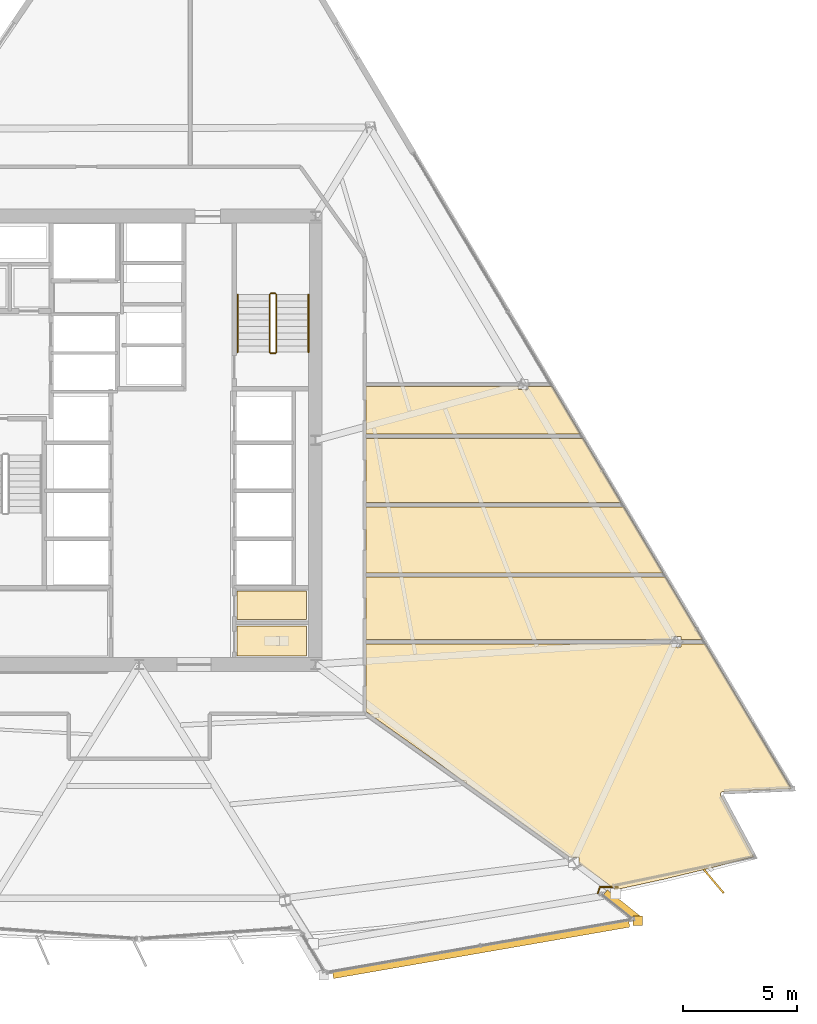
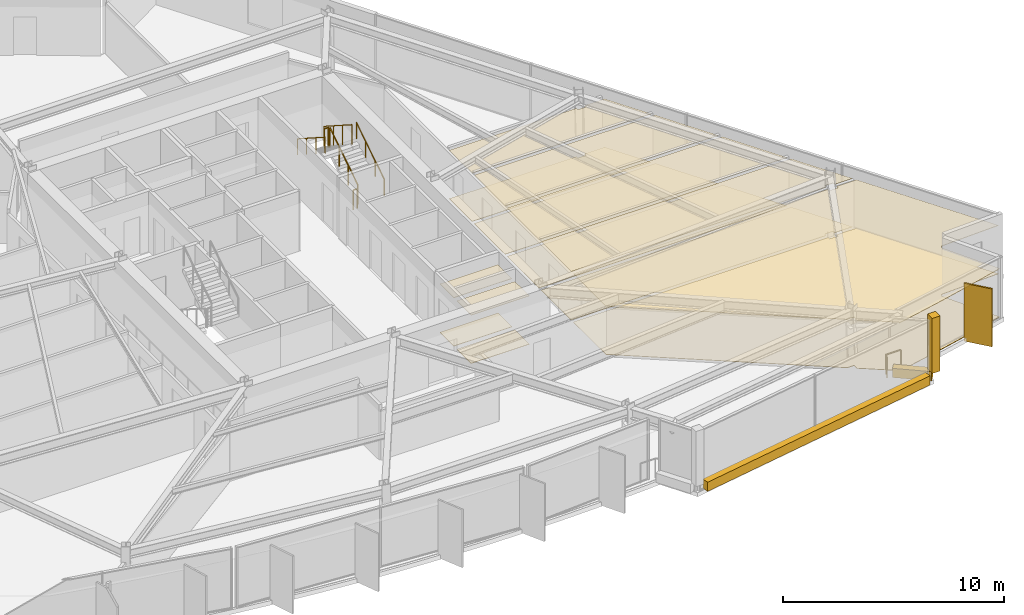
# One storey, part 13 of 15: 17 coverings, 7 railings, 1 shading device.
"""IFC4 building model written with IfcOpenShell, lengths in metres."""

from ifc_helpers import new_model, si_unit, direction, frame, origin, origin_2d, place, context, subcontext, project, spatial, polyline, rectangle, circle, outline, extrude, material, layer, layer_set, type_object, element, save


model = new_model("IFC4")

# Units and contexts
model_context = context("Model", 3, precision=1e-05, world=origin(), true_north=direction((0.0, 1.0)))
body_context = subcontext(model_context, "Body", "Model", "MODEL_VIEW")
ifc_project = project(units=[si_unit("LENGTHUNIT", "METRE"), si_unit("AREAUNIT", "SQUARE_METRE"), si_unit("VOLUMEUNIT", "CUBIC_METRE"), si_unit("PLANEANGLEUNIT", "RADIAN"), si_unit("MASSUNIT", "GRAM", prefix="KILO")], contexts=[model_context])

# Site, building, storey
site_placement = place(None, origin())
site = spatial("IfcSite", under=ifc_project, at=site_placement, CompositionType="ELEMENT")
building_placement = place(site_placement, origin())
building = spatial("IfcBuilding", under=site, at=building_placement, Name="Savorim Split Tower", CompositionType="ELEMENT")
storey_placement = place(building_placement, frame((0.0, 0.0, 93.300048828125)))
storey = spatial("IfcBuildingStorey", under=building, at=storey_placement, Name="L24", CompositionType="ELEMENT", Elevation=93.300048828125)

# Coverings
ifc_material_1 = material(Name="Mineral Fibre Acoustic Ceiling")
ifc_layer_1 = layer(ifc_material_1, 0.02490234375)
ifc_layer_set_1 = layer_set([ifc_layer_1], Name="COV-CEIL-25")
covering_type_1 = type_object("IfcCoveringType", Name="COV-CEIL-25", PredefinedType="CEILING", material=ifc_layer_set_1)
covering_1_placement = place(storey_placement, frame((0.0, 0.0, 2.669921875)))
element("IfcCovering", 1, at=covering_1_placement, inside=storey, type_object=covering_type_1, Name="L24 Accessible WC Acoustic Ceiling", PredefinedType="CEILING", context=body_context, shape_type="SweptSolid", body=[
    extrude(outline(polyline([(4.280029296875, -7.719970703125), (4.280029296875, -9.02001953125), (7.320068359375, -9.02001953125), (7.320068359375, -7.719970703125), (4.280029296875, -7.719970703125)])), origin(), (0.0, 0.0, 1.0), 0.025146484375),
])
covering_2_placement = place(storey_placement, frame((0.0, 0.0, 2.669921875)))
element("IfcCovering", 2, at=covering_2_placement, inside=storey, type_object=covering_type_1, Name="L24 Cleaning Store Acoustic Ceiling", PredefinedType="CEILING", context=body_context, shape_type="SweptSolid", body=[
    extrude(outline(polyline([(4.280029296875, -6.179931640625), (4.280029296875, -7.43994140625), (7.320068359375, -7.43994140625), (7.320068359375, -6.179931640625), (4.280029296875, -6.179931640625)])), origin(), (0.0, 0.0, 1.0), 0.025146484375),
])
covering_3_placement = place(storey_placement, frame((0.0, 0.0, 2.669921875)))
element("IfcCovering", 3, at=covering_3_placement, inside=storey, type_object=covering_type_1, Name="L24 Co-Working Commons Acoustic Ceiling", PredefinedType="CEILING", context=body_context, shape_type="SweptSolid", body=[
    extrude(outline(polyline([(25.5009765625, -14.956298828125), (25.51220703125, -14.9541015625), (25.523681640625, -14.952880859375), (28.506591796875, -14.826171875), (24.7255859375, -8.46728515625), (24.7255859375, -8.500244140625), (23.689208984375, -8.500244140625), (23.689208984375, -8.627685546875), (23.26025390625, -8.627685546875), (23.26025390625, -8.500244140625), (9.919921875, -8.500244140625), (9.919921875, -11.4580078125), (18.862060546875, -17.836669921875), (19.224853515625, -17.836669921875), (19.224853515625, -18.095458984375), (20.707275390625, -19.15283203125), (20.784423828125, -19.2080078125), (20.745361328125, -19.2626953125), (20.873779296875, -19.237548828125), (22.927490234375, -18.789306640625), (24.9716796875, -18.29931640625), (26.85888671875, -17.8056640625), (25.423095703125, -15.129638671875), (25.418212890625, -15.119140625), (25.414306640625, -15.1083984375), (25.411376953125, -15.09716796875), (25.409423828125, -15.085693359375), (25.40869140625, -15.07421875), (25.4091796875, -15.062744140625), (25.410888671875, -15.05126953125), (25.413330078125, -15.0400390625), (25.4169921875, -15.029052734375), (25.421875, -15.0185546875), (25.427490234375, -15.008544921875), (25.43408203125, -14.9990234375), (25.441650390625, -14.990478515625), (25.449951171875, -14.982421875), (25.458984375, -14.97509765625), (25.46875, -14.968994140625), (25.47900390625, -14.963623046875), (25.48974609375, -14.95947265625), (25.5009765625, -14.956298828125)])), origin(), (0.0, 0.0, 1.0), 0.025146484375),
])
covering_4_placement = place(storey_placement, frame((0.0, 0.0, 2.669921875)))
element("IfcCovering", 4, at=covering_4_placement, inside=storey, type_object=covering_type_1, Name="L24 Co-Working Commons Acoustic Ceiling", PredefinedType="CEILING", context=body_context, shape_type="SweptSolid", body=[
    extrude(outline(polyline([(23.689208984375, -8.182861328125), (23.689208984375, -8.310302734375), (24.630615234375, -8.310302734375), (24.632080078125, -8.310302734375), (23.010009765625, -5.58203125), (9.919921875, -5.58203125), (9.919921875, -8.310302734375), (23.26025390625, -8.310302734375), (23.26025390625, -8.182861328125), (23.689208984375, -8.182861328125)])), origin(), (0.0, 0.0, 1.0), 0.025146484375),
])
covering_5_placement = place(storey_placement, frame((0.0, 0.0, 2.669921875)))
element("IfcCovering", 5, at=covering_5_placement, inside=storey, type_object=covering_type_1, Name="L24 Co-Living Bedroom Acoustic Ceiling", PredefinedType="CEILING", context=body_context, shape_type="SweptSolid", body=[
    extrude(outline(polyline([(22.89697265625, -5.39208984375), (21.18505859375, -2.51318359375), (9.919921875, -2.51318359375), (9.919921875, -5.39208984375), (22.89697265625, -5.39208984375)])), origin(), (0.0, 0.0, 1.0), 0.025146484375),
])
covering_6_placement = place(storey_placement, frame((0.0, 0.0, 2.669921875)))
element("IfcCovering", 6, at=covering_6_placement, inside=storey, type_object=covering_type_1, Name="L24 Co-Working Commons Acoustic Ceiling", PredefinedType="CEILING", context=body_context, shape_type="SweptSolid", body=[
    extrude(outline(polyline([(21.072021484375, -2.322998046875), (19.40478515625, 0.48046875), (9.919921875, 0.48046875), (9.919921875, -2.322998046875), (21.072021484375, -2.322998046875)])), origin(), (0.0, 0.0, 1.0), 0.025146484375),
])
covering_7_placement = place(storey_placement, frame((0.0, 0.0, 2.669921875)))
element("IfcCovering", 7, at=covering_7_placement, inside=storey, type_object=covering_type_1, Name="L24 Co-Working Commons Acoustic Ceiling", PredefinedType="CEILING", context=body_context, shape_type="SweptSolid", body=[
    extrude(outline(polyline([(16.57470703125, 2.615234375), (16.57470703125, 2.742919921875), (9.919921875, 2.742919921875), (9.919921875, 0.67041015625), (19.2919921875, 0.67041015625), (18.0400390625, 2.77587890625), (18.0400390625, 2.742919921875), (17.003662109375, 2.742919921875), (17.003662109375, 2.615234375), (16.57470703125, 2.615234375)])), origin(), (0.0, 0.0, 1.0), 0.025146484375),
])
ifc_material_2 = material(Name="Porcelain Stoneware Flooring", Category="masonry")
ifc_layer_2 = layer(ifc_material_2, 0.02001953125)
ifc_layer_set_2 = layer_set([ifc_layer_2], Name="COV-FLOR-20")
covering_type_2 = type_object("IfcCoveringType", Name="COV-FLOR-20", PredefinedType="FLOORING", material=ifc_layer_set_2)
covering_8_placement = place(storey_placement, origin())
element("IfcCovering", 8, at=covering_8_placement, inside=storey, type_object=covering_type_2, Name="L24 Accessible WC Porcelain Flooring", PredefinedType="FLOORING", context=body_context, shape_type="SweptSolid", body=[
    extrude(outline(polyline([(4.280029296875, -7.719970703125), (4.280029296875, -9.02001953125), (7.320068359375, -9.02001953125), (7.320068359375, -7.719970703125), (4.280029296875, -7.719970703125)])), origin(), (0.0, 0.0, 1.0), 0.02001953125),
])
covering_9_placement = place(storey_placement, origin())
element("IfcCovering", 9, at=covering_9_placement, inside=storey, type_object=covering_type_2, Name="L24 Cleaning Store Porcelain Flooring", PredefinedType="FLOORING", context=body_context, shape_type="SweptSolid", body=[
    extrude(outline(polyline([(4.280029296875, -6.179931640625), (4.280029296875, -7.43994140625), (7.320068359375, -7.43994140625), (7.320068359375, -6.179931640625), (4.280029296875, -6.179931640625)])), origin(), (0.0, 0.0, 1.0), 0.02001953125),
])
covering_10_placement = place(storey_placement, origin())
element("IfcCovering", 10, at=covering_10_placement, inside=storey, type_object=covering_type_2, Name="L24 Co-Working Commons Porcelain Flooring", PredefinedType="FLOORING", context=body_context, shape_type="SweptSolid", body=[
    extrude(outline(polyline([(25.5009765625, -14.956298828125), (25.51220703125, -14.9541015625), (25.523681640625, -14.952880859375), (28.506591796875, -14.826171875), (24.7255859375, -8.46728515625), (24.7255859375, -8.500244140625), (23.689208984375, -8.500244140625), (23.689208984375, -8.627685546875), (23.26025390625, -8.627685546875), (23.26025390625, -8.500244140625), (9.919921875, -8.500244140625), (9.919921875, -11.4580078125), (18.862060546875, -17.836669921875), (19.224853515625, -17.836669921875), (19.224853515625, -18.095458984375), (20.707275390625, -19.15283203125), (20.784423828125, -19.2080078125), (20.745361328125, -19.2626953125), (20.873779296875, -19.237548828125), (22.927490234375, -18.789306640625), (24.9716796875, -18.29931640625), (26.85888671875, -17.8056640625), (25.423095703125, -15.129638671875), (25.418212890625, -15.119140625), (25.414306640625, -15.1083984375), (25.411376953125, -15.09716796875), (25.409423828125, -15.085693359375), (25.40869140625, -15.07421875), (25.4091796875, -15.062744140625), (25.410888671875, -15.05126953125), (25.413330078125, -15.0400390625), (25.4169921875, -15.029052734375), (25.421875, -15.0185546875), (25.427490234375, -15.008544921875), (25.43408203125, -14.9990234375), (25.441650390625, -14.990478515625), (25.449951171875, -14.982421875), (25.458984375, -14.97509765625), (25.46875, -14.968994140625), (25.47900390625, -14.963623046875), (25.48974609375, -14.95947265625), (25.5009765625, -14.956298828125)])), origin(), (0.0, 0.0, 1.0), 0.02001953125),
])
covering_11_placement = place(storey_placement, origin())
element("IfcCovering", 11, at=covering_11_placement, inside=storey, type_object=covering_type_2, Name="L24 Co-Working Commons Porcelain Flooring", PredefinedType="FLOORING", context=body_context, shape_type="SweptSolid", body=[
    extrude(outline(polyline([(23.689208984375, -8.182861328125), (23.689208984375, -8.310302734375), (24.630615234375, -8.310302734375), (24.632080078125, -8.310302734375), (23.010009765625, -5.58203125), (9.919921875, -5.58203125), (9.919921875, -8.310302734375), (23.26025390625, -8.310302734375), (23.26025390625, -8.182861328125), (23.689208984375, -8.182861328125)])), origin(), (0.0, 0.0, 1.0), 0.02001953125),
])
covering_12_placement = place(storey_placement, origin())
element("IfcCovering", 12, at=covering_12_placement, inside=storey, type_object=covering_type_2, Name="L24 Co-Living Bedroom Porcelain Flooring", PredefinedType="FLOORING", context=body_context, shape_type="SweptSolid", body=[
    extrude(outline(polyline([(22.89697265625, -5.39208984375), (21.18505859375, -2.51318359375), (9.919921875, -2.51318359375), (9.919921875, -5.39208984375), (22.89697265625, -5.39208984375)])), origin(), (0.0, 0.0, 1.0), 0.02001953125),
])
covering_13_placement = place(storey_placement, origin())
element("IfcCovering", 13, at=covering_13_placement, inside=storey, type_object=covering_type_2, Name="L24 Co-Working Commons Porcelain Flooring", PredefinedType="FLOORING", context=body_context, shape_type="SweptSolid", body=[
    extrude(outline(polyline([(21.072021484375, -2.322998046875), (19.40478515625, 0.48046875), (9.919921875, 0.48046875), (9.919921875, -2.322998046875), (21.072021484375, -2.322998046875)])), origin(), (0.0, 0.0, 1.0), 0.02001953125),
])
covering_14_placement = place(storey_placement, origin())
element("IfcCovering", 14, at=covering_14_placement, inside=storey, type_object=covering_type_2, Name="L24 Co-Working Commons Porcelain Flooring", PredefinedType="FLOORING", context=body_context, shape_type="SweptSolid", body=[
    extrude(outline(polyline([(16.57470703125, 2.615234375), (16.57470703125, 2.742919921875), (9.919921875, 2.742919921875), (9.919921875, 0.67041015625), (19.2919921875, 0.67041015625), (18.0400390625, 2.77587890625), (18.0400390625, 2.742919921875), (17.003662109375, 2.742919921875), (17.003662109375, 2.615234375), (16.57470703125, 2.615234375)])), origin(), (0.0, 0.0, 1.0), 0.02001953125),
])
ifc_material_3 = material(Name="White Porcelain Architectural Cladding")
ifc_layer_3 = layer(ifc_material_3, 0.139892578125)
ifc_layer_set_3 = layer_set([ifc_layer_3], Name="COV-FRM-WHITE")
covering_type_3 = type_object("IfcCoveringType", Name="COV-FRM-WHITE", PredefinedType="CLADDING", material=ifc_layer_set_3)
covering_15_placement = place(storey_placement, frame((0.0, 0.0, 0.010009765625)))
element("IfcCovering", 15, at=covering_15_placement, inside=storey, type_object=covering_type_3, Name="L24 Cantilevered Lounge White Lower Frame Band F", PredefinedType="CLADDING", context=body_context, shape_type="SweptSolid", body=[
    extrude(outline(polyline([(8.500732421875, -23.130859375), (21.44482421875, -20.8818359375), (21.38671875, -20.546875), (8.4423828125, -22.7958984375), (8.500732421875, -23.130859375)])), origin(), (0.0, 0.0, 1.0), 0.510009765625),
])
covering_16_placement = place(storey_placement, frame((0.0, 0.0, 0.010009765625)))
element("IfcCovering", 16, at=covering_16_placement, inside=storey, type_object=covering_type_3, Name="L24 Cantilevered Lounge White Lower Frame Band E", PredefinedType="CLADDING", context=body_context, shape_type="SweptSolid", body=[
    extrude(outline(polyline([(21.875244140625, -20.37451171875), (20.4658203125, -19.255126953125), (20.25439453125, -19.521484375), (21.663818359375, -20.640869140625), (21.875244140625, -20.37451171875)])), origin(), (0.0, 0.0, 1.0), 0.510009765625),
])
covering_17_placement = place(storey_placement, frame((0.0, 0.0, 0.5400390625)))
element("IfcCovering", 17, at=covering_17_placement, inside=storey, type_object=covering_type_3, Name="L24 Cantilevered Lounge White Frame Corner Post 2", PredefinedType="CLADDING", context=body_context, shape_type="SweptSolid", body=[
    extrude(outline(polyline([(21.59130859375, -20.806396484375), (22.01123046875, -20.806396484375), (22.01123046875, -20.386474609375), (21.59130859375, -20.386474609375), (21.59130859375, -20.806396484375)])), origin(), (0.0, 0.0, 1.0), 3.0498046875),
])

# Railings
ifc_material_4 = material(Name="Galvanised Painted Steel Balustrade", Category="steel")
railing_type_1 = type_object("IfcRailingType", Name="RLG-BAL-1100", PredefinedType="BALUSTRADE", material=ifc_material_4)
railing_1_placement = place(storey_placement, frame((20.04150390625, -19.40625, 0.0)))
element("IfcRailing", 18, at=railing_1_placement, inside=storey, type_object=railing_type_1, Name="L24 Cantilevered Lounge East Edge Closure Guard", PredefinedType="BALUSTRADE", context=body_context, shape_type="SweptSolid", body=[
    extrude(circle(Radius=0.02392578125, at=origin_2d()), frame((0.0, 0.0, 1.076171875), z_axis=(0.336493515152, 0.941685783189, 0.0), x_axis=(-0.941685783189, 0.336493515152, 0.0)), (0.0, 0.0, 1.0), 0.29541015625),
    extrude(circle(Radius=0.02392578125, at=origin_2d()), frame((0.099365234375, 0.278076171875, 1.076171875), z_axis=(1.0, 0.0, 0.0), x_axis=(0.0, 1.0, 0.0)), (0.0, 0.0, 1.0), 0.780029296875),
    extrude(circle(Radius=0.02099609375, at=origin_2d()), origin(), (0.0, 0.0, 1.0), 1.052001953125),
    extrude(circle(Radius=0.02099609375, at=origin_2d()), frame((0.099365234375, 0.278076171875, 0.0)), (0.0, 0.0, 1.0), 1.052001953125),
    extrude(circle(Radius=0.02099609375, at=origin_2d()), frame((0.87939453125, 0.278076171875, 0.0)), (0.0, 0.0, 1.0), 1.052001953125),
])
railing_type_2 = type_object("IfcRailingType", Name="RLG-HR-900", PredefinedType="HANDRAIL", material=ifc_material_4)
railing_2_placement = place(storey_placement, frame((7.39990234375, 4.25, 0.179931640625)))
element("IfcRailing", 19, at=railing_2_placement, inside=storey, type_object=railing_type_2, Name="L24 ST-2 stair handrail 1", PredefinedType="HANDRAIL", context=body_context, shape_type="SweptSolid", body=[
    extrude(circle(Radius=0.02392578125, at=origin_2d()), frame((0.0, 0.0, 0.8759765625), z_axis=(0.0, 0.841162588446, 0.540782303519), x_axis=(-1.0, 0.0, 0.0)), (0.0, 0.0, 1.0), 2.995849609375),
    extrude(circle(Radius=0.02099609375, at=origin_2d()), origin(), (0.0, 0.0, 1.0), 0.851806640625),
    extrude(circle(Radius=0.02099609375, at=origin_2d()), frame((0.0, 0.840087890625, 0.5400390625)), (0.0, 0.0, 1.0), 0.851806640625),
    extrude(circle(Radius=0.02099609375, at=origin_2d()), frame((0.0, 1.679931640625, 1.080078125)), (0.0, 0.0, 1.0), 0.851806640625),
    extrude(circle(Radius=0.02099609375, at=origin_2d()), frame((0.0, 2.52001953125, 1.6201171875)), (0.0, 0.0, 1.0), 0.851806640625),
])
railing_3_placement = place(storey_placement, frame((4.300048828125, 6.77001953125, 1.97998046875)))
element("IfcRailing", 20, at=railing_3_placement, inside=storey, type_object=railing_type_2, Name="L24 ST-2 stair handrail 2", PredefinedType="HANDRAIL", context=body_context, shape_type="SweptSolid", body=[
    extrude(circle(Radius=0.02392578125, at=origin_2d()), frame((0.0, 0.0, 0.8759765625), z_axis=(0.0, -0.841199657755, 0.540724639528), x_axis=(1.0, 0.0, 0.0)), (0.0, 0.0, 1.0), 2.995849609375),
    extrude(circle(Radius=0.02099609375, at=origin_2d()), origin(), (0.0, 0.0, 1.0), 0.851806640625),
    extrude(circle(Radius=0.02099609375, at=origin_2d()), frame((0.0, -0.840087890625, 0.5400390625)), (0.0, 0.0, 1.0), 0.851806640625),
    extrude(circle(Radius=0.02099609375, at=origin_2d()), frame((0.0, -1.679931640625, 1.079833984375)), (0.0, 0.0, 1.0), 0.851806640625),
    extrude(circle(Radius=0.02099609375, at=origin_2d()), frame((0.0, -2.52001953125, 1.619873046875)), (0.0, 0.0, 1.0), 0.851806640625),
])
railing_type_3 = type_object("IfcRailingType", Name="RLG-STG-1100", PredefinedType="BALUSTRADE", material=ifc_material_4)
railing_4_placement = place(storey_placement, frame((6.0, 4.25, 0.179931640625)))
element("IfcRailing", 21, at=railing_4_placement, inside=storey, type_object=railing_type_3, Name="L24 ST-2 stair guard 1", PredefinedType="BALUSTRADE", context=body_context, shape_type="SweptSolid", body=[
    extrude(circle(Radius=0.02392578125, at=origin_2d()), frame((0.0, 0.0, 1.076171875), z_axis=(0.0, 0.841162588446, 0.540782303519), x_axis=(-1.0, 0.0, 0.0)), (0.0, 0.0, 1.0), 2.995849609375),
    extrude(circle(Radius=0.02099609375, at=origin_2d()), origin(), (0.0, 0.0, 1.0), 1.052001953125),
    extrude(circle(Radius=0.02099609375, at=origin_2d()), frame((0.0, 0.840087890625, 0.5400390625)), (0.0, 0.0, 1.0), 1.052001953125),
    extrude(circle(Radius=0.02099609375, at=origin_2d()), frame((0.0, 1.679931640625, 1.080078125)), (0.0, 0.0, 1.0), 1.052001953125),
    extrude(circle(Radius=0.02099609375, at=origin_2d()), frame((0.0, 2.52001953125, 1.6201171875)), (0.0, 0.0, 1.0), 1.052001953125),
])
railing_5_placement = place(storey_placement, frame((5.949951171875, 6.820068359375, 1.800048828125)))
element("IfcRailing", 22, at=railing_5_placement, inside=storey, type_object=railing_type_3, Name="L24 ST-2 stair guard 2", PredefinedType="BALUSTRADE", context=body_context, shape_type="SweptSolid", body=[
    extrude(circle(Radius=0.02392578125, at=origin_2d()), frame((0.0, 0.0, 1.076171875), z_axis=(-1.0, 0.0, 0.0), x_axis=(0.0, -1.0, 0.0)), (0.0, 0.0, 1.0), 0.199951171875),
    extrude(circle(Radius=0.02099609375, at=origin_2d()), origin(), (0.0, 0.0, 1.0), 1.052001953125),
    extrude(circle(Radius=0.02099609375, at=origin_2d()), frame((-0.199951171875, 0.0, 0.0)), (0.0, 0.0, 1.0), 1.052001953125),
])
railing_6_placement = place(storey_placement, frame((5.699951171875, 6.77001953125, 1.97998046875)))
element("IfcRailing", 23, at=railing_6_placement, inside=storey, type_object=railing_type_3, Name="L24 ST-2 stair guard 3", PredefinedType="BALUSTRADE", context=body_context, shape_type="SweptSolid", body=[
    extrude(circle(Radius=0.02392578125, at=origin_2d()), frame((0.0, 0.0, 1.076171875), z_axis=(0.0, -0.841199657755, 0.540724639528), x_axis=(1.0, 0.0, 0.0)), (0.0, 0.0, 1.0), 2.995849609375),
    extrude(circle(Radius=0.02099609375, at=origin_2d()), origin(), (0.0, 0.0, 1.0), 1.052001953125),
    extrude(circle(Radius=0.02099609375, at=origin_2d()), frame((0.0, -0.840087890625, 0.5400390625)), (0.0, 0.0, 1.0), 1.052001953125),
    extrude(circle(Radius=0.02099609375, at=origin_2d()), frame((0.0, -1.679931640625, 1.079833984375)), (0.0, 0.0, 1.0), 1.052001953125),
    extrude(circle(Radius=0.02099609375, at=origin_2d()), frame((0.0, -2.52001953125, 1.619873046875)), (0.0, 0.0, 1.0), 1.052001953125),
])
railing_7_placement = place(storey_placement, frame((5.949951171875, 4.199951171875, 0.0)))
element("IfcRailing", 24, at=railing_7_placement, inside=storey, type_object=railing_type_3, Name="L24 ST-2 stair guard 4", PredefinedType="BALUSTRADE", context=body_context, shape_type="SweptSolid", body=[
    extrude(circle(Radius=0.02392578125, at=origin_2d()), frame((0.0, 0.0, 1.076171875), z_axis=(-1.0, 0.0, 0.0), x_axis=(0.0, -1.0, 0.0)), (0.0, 0.0, 1.0), 0.199951171875),
    extrude(circle(Radius=0.02099609375, at=origin_2d()), origin(), (0.0, 0.0, 1.0), 1.052001953125),
    extrude(circle(Radius=0.02099609375, at=origin_2d()), frame((-0.199951171875, 0.0, 0.0)), (0.0, 0.0, 1.0), 1.052001953125),
])

# Shading device
ifc_material_5 = material(Name="Terracotta Ceramic-Coated Aluminium Fin", Category="masonry")
shading_device_type = type_object("IfcShadingDeviceType", Name="SHD-FIN-1360", PredefinedType="USERDEFINED", material=ifc_material_5)
shading_device_placement = place(storey_placement, frame((25.116455078125, -18.87744140625, -0.2001953125), z_axis=(0.0, 0.0, 1.0), x_axis=(0.643719022682, -0.765261928909, 0.0)))
element("IfcShadingDevice", 25, at=shading_device_placement, inside=storey, type_object=shading_device_type, Name="L24 Sawtooth Shading Fin 13", ObjectType="FIN", PredefinedType="USERDEFINED", context=body_context, shape_type="SweptSolid", body=[
    extrude(rectangle(XDim=1.360107421875, YDim=0.080078125, at=origin_2d()), origin(), (0.0, 0.0, 1.0), 3.199951171875),
])

save(model, "model.ifc")
